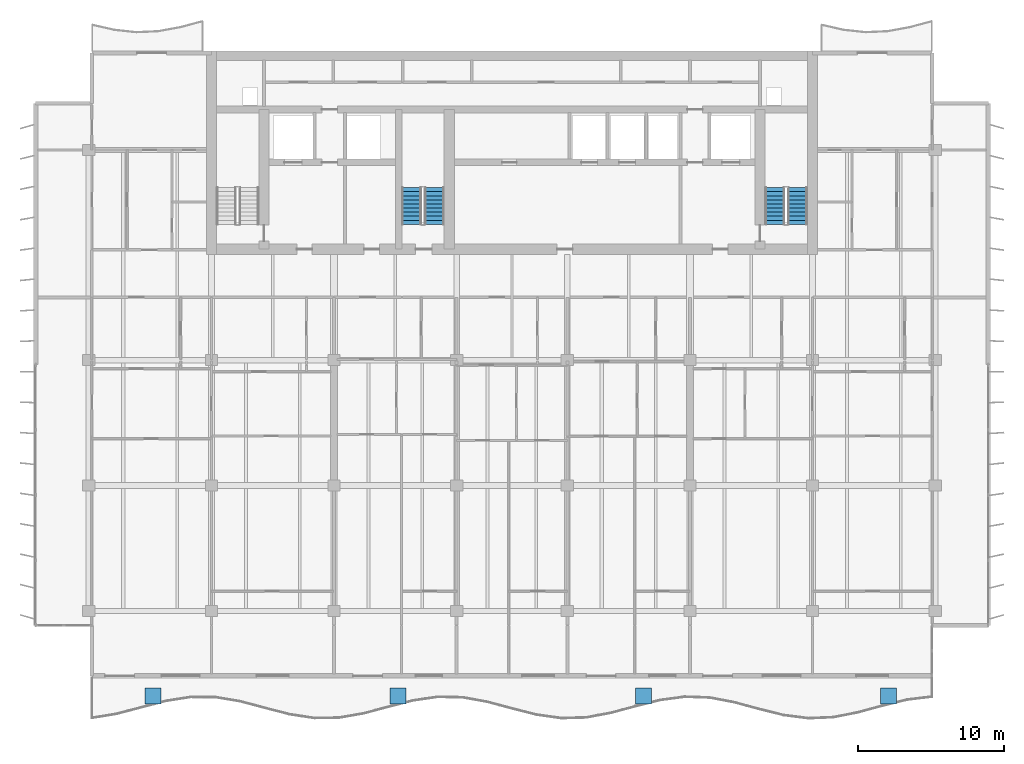
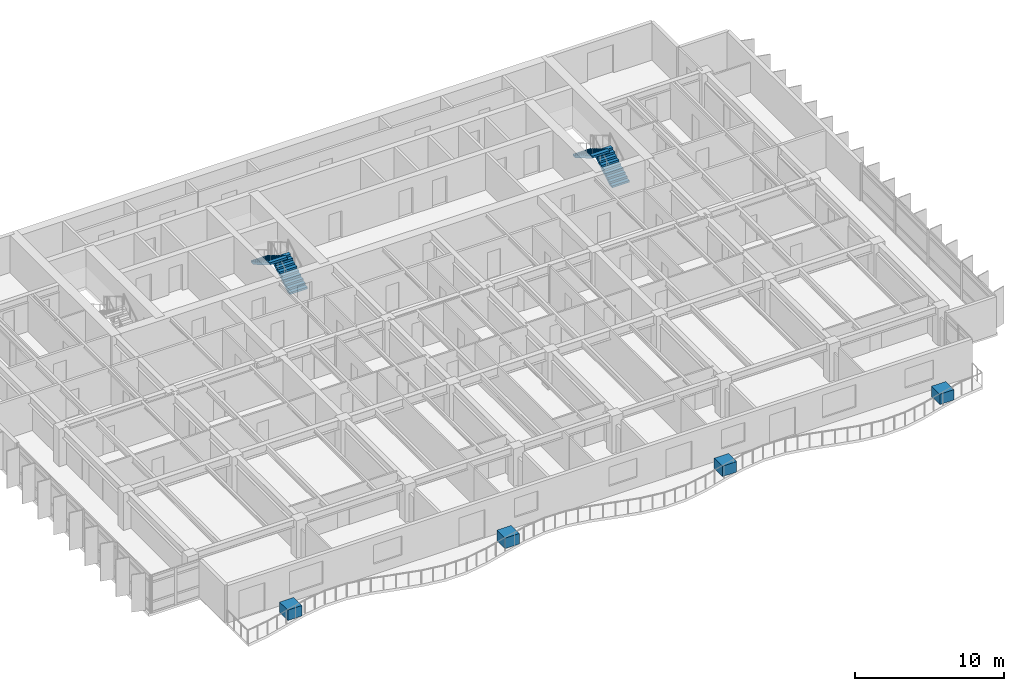
# One storey, part 15 of 19: 4 discrete accessories, 4 stair flights, 2 elements without a shape of their own.
"""IFC4 building model written with IfcOpenShell, lengths in metres."""

from ifc_helpers import new_model, si_unit, direction, frame, origin, origin_2d, place, context, subcontext, project, spatial, polyline, rectangle, outline, extrude, material, type_object, element, aggregate, save


model = new_model("IFC4")

# Units and contexts
model_context = context("Model", 3, precision=1e-05, world=origin(), true_north=direction((0.0, 1.0)))
body_context = subcontext(model_context, "Body", "Model", "MODEL_VIEW")
ifc_project = project(units=[si_unit("LENGTHUNIT", "METRE"), si_unit("AREAUNIT", "SQUARE_METRE"), si_unit("VOLUMEUNIT", "CUBIC_METRE"), si_unit("PLANEANGLEUNIT", "RADIAN"), si_unit("MASSUNIT", "GRAM", prefix="KILO")], contexts=[model_context])

# Site, building, storey
site_placement = place(None, origin())
site = spatial("IfcSite", under=ifc_project, at=site_placement, CompositionType="ELEMENT")
building_placement = place(site_placement, origin())
building = spatial("IfcBuilding", under=site, at=building_placement, Name="Caelmar Bay Residences", CompositionType="ELEMENT")
storey_placement = place(building_placement, frame((0.0, 0.0, 167.10009765625)))
storey = spatial("IfcBuildingStorey", under=building, at=storey_placement, Name="L46", CompositionType="ELEMENT", Elevation=167.10009765625)

# Stair, stair flights
ifc_material_1 = material(Name="Concrete f'c 40 MPa (6,000 psi)", Category="concrete")
stair_type = type_object("IfcStairType", Name="ST-TYP-165", PredefinedType="HALF_TURN_STAIR", material=ifc_material_1)
stair_1_placement = place(storey_placement, origin())
stair_1 = element("IfcStair", 1, at=stair_1_placement, inside=storey, type_object=stair_type, Name="L46 East Smokeproof Exit Stair ST2", PredefinedType="HALF_TURN_STAIR")
stair_flight_type = type_object("IfcStairFlightType", Name="STF-1350", PredefinedType="STRAIGHT", material=ifc_material_1)
stair_flight_1_placement = place(storey_placement, frame((58.47509765625, 38.699951171875, 0.0), z_axis=(0.0, 0.0, 1.0), x_axis=(0.0, 1.0, 0.0)))
stair_flight_1 = element("IfcStairFlight", 2, at=stair_flight_1_placement, type_object=stair_flight_type, Name="ST2 flight 1", NumberOfRisers=10, NumberOfTreads=9, PredefinedType="STRAIGHT", RiserHeight=0.165, TreadLength=0.28, context=body_context, shape_type="SweptSolid", body=[
    extrude(outline(polyline([(0.0, 0.0), (0.0, 0.1650390625), (0.280029296875, 0.1650390625), (0.280029296875, 0.330078125), (0.56005859375, 0.330078125), (0.56005859375, 0.4951171875), (0.840087890625, 0.4951171875), (0.840087890625, 0.659912109375), (1.1201171875, 0.659912109375), (1.1201171875, 0.824951171875), (1.39990234375, 0.824951171875), (1.39990234375, 0.989990234375), (1.679931640625, 0.989990234375), (1.679931640625, 1.155029296875), (1.9599609375, 1.155029296875), (1.9599609375, 1.320068359375), (2.239990234375, 1.320068359375), (2.239990234375, 1.485107421875), (2.52001953125, 1.485107421875), (2.52001953125, 1.64990234375), (2.52001953125, 1.31103515625), (0.295166015625, 0.0), (0.0, 0.0)])), frame((0.0, 0.675048828125, 0.0), z_axis=(0.0, -1.0, 0.0), x_axis=(1.0, 0.0, 0.0)), (0.0, 0.0, 1.0), 1.35009765625),
])
stair_flight_2_placement = place(storey_placement, frame((56.925048828125, 41.219970703125, 1.64990234375), z_axis=(0.0, 0.0, 1.0), x_axis=(0.0, -1.0, 0.0)))
stair_flight_2 = element("IfcStairFlight", 3, at=stair_flight_2_placement, type_object=stair_flight_type, Name="ST2 flight 2", NumberOfRisers=10, NumberOfTreads=9, PredefinedType="STRAIGHT", RiserHeight=0.165, TreadLength=0.28, context=body_context, shape_type="SweptSolid", body=[
    extrude(outline(polyline([(0.0, 0.0), (0.0, 0.1650390625), (0.280029296875, 0.1650390625), (0.280029296875, 0.330078125), (0.56005859375, 0.330078125), (0.56005859375, 0.4951171875), (0.840087890625, 0.4951171875), (0.840087890625, 0.659912109375), (1.1201171875, 0.659912109375), (1.1201171875, 0.824951171875), (1.39990234375, 0.824951171875), (1.39990234375, 0.989990234375), (1.679931640625, 0.989990234375), (1.679931640625, 1.155029296875), (1.9599609375, 1.155029296875), (1.9599609375, 1.320068359375), (2.239990234375, 1.320068359375), (2.239990234375, 1.485107421875), (2.52001953125, 1.485107421875), (2.52001953125, 1.64990234375), (2.52001953125, 1.31103515625), (0.295166015625, 0.0), (0.0, 0.0)])), frame((0.0, 0.675048828125, 0.0), z_axis=(0.0, -1.0, 0.0), x_axis=(1.0, 0.0, 0.0)), (0.0, 0.0, 1.0), 1.35009765625),
])
aggregate(stair_1, [stair_flight_1, stair_flight_2])

stair_2_placement = place(storey_placement, origin())
stair_2 = element("IfcStair", 4, at=stair_2_placement, inside=storey, type_object=stair_type, Name="L46 Central Smokeproof Exit Stair ST3", PredefinedType="HALF_TURN_STAIR")
stair_flight_3_placement = place(storey_placement, frame((33.574951171875, 38.699951171875, 0.0), z_axis=(0.0, 0.0, 1.0), x_axis=(0.0, 1.0, 0.0)))
stair_flight_3 = element("IfcStairFlight", 5, at=stair_flight_3_placement, type_object=stair_flight_type, Name="ST3 flight 1", NumberOfRisers=10, NumberOfTreads=9, PredefinedType="STRAIGHT", RiserHeight=0.165, TreadLength=0.28, context=body_context, shape_type="SweptSolid", body=[
    extrude(outline(polyline([(0.0, 0.0), (0.0, 0.1650390625), (0.280029296875, 0.1650390625), (0.280029296875, 0.330078125), (0.56005859375, 0.330078125), (0.56005859375, 0.4951171875), (0.840087890625, 0.4951171875), (0.840087890625, 0.659912109375), (1.1201171875, 0.659912109375), (1.1201171875, 0.824951171875), (1.39990234375, 0.824951171875), (1.39990234375, 0.989990234375), (1.679931640625, 0.989990234375), (1.679931640625, 1.155029296875), (1.9599609375, 1.155029296875), (1.9599609375, 1.320068359375), (2.239990234375, 1.320068359375), (2.239990234375, 1.485107421875), (2.52001953125, 1.485107421875), (2.52001953125, 1.64990234375), (2.52001953125, 1.31103515625), (0.295166015625, 0.0), (0.0, 0.0)])), frame((0.0, 0.675048828125, 0.0), z_axis=(0.0, -1.0, 0.0), x_axis=(1.0, 0.0, 0.0)), (0.0, 0.0, 1.0), 1.35009765625),
])
stair_flight_4_placement = place(storey_placement, frame((32.02490234375, 41.219970703125, 1.64990234375), z_axis=(0.0, 0.0, 1.0), x_axis=(0.0, -1.0, 0.0)))
stair_flight_4 = element("IfcStairFlight", 6, at=stair_flight_4_placement, type_object=stair_flight_type, Name="ST3 flight 2", NumberOfRisers=10, NumberOfTreads=9, PredefinedType="STRAIGHT", RiserHeight=0.165, TreadLength=0.28, context=body_context, shape_type="SweptSolid", body=[
    extrude(outline(polyline([(0.0, 0.0), (0.0, 0.1650390625), (0.280029296875, 0.1650390625), (0.280029296875, 0.330078125), (0.56005859375, 0.330078125), (0.56005859375, 0.4951171875), (0.840087890625, 0.4951171875), (0.840087890625, 0.659912109375), (1.1201171875, 0.659912109375), (1.1201171875, 0.824951171875), (1.39990234375, 0.824951171875), (1.39990234375, 0.989990234375), (1.679931640625, 0.989990234375), (1.679931640625, 1.155029296875), (1.9599609375, 1.155029296875), (1.9599609375, 1.320068359375), (2.239990234375, 1.320068359375), (2.239990234375, 1.485107421875), (2.52001953125, 1.485107421875), (2.52001953125, 1.64990234375), (2.52001953125, 1.31103515625), (0.295166015625, 0.0), (0.0, 0.0)])), frame((0.0, 0.675048828125, 0.0), z_axis=(0.0, -1.0, 0.0), x_axis=(1.0, 0.0, 0.0)), (0.0, 0.0, 1.0), 1.35009765625),
])
aggregate(stair_2, [stair_flight_3, stair_flight_4])

# Discrete accessories
ifc_material_2 = material(Name="Architectural bronze GRC planter trough with volcanic-lapilli substrate")
discrete_accessory_type = type_object("IfcDiscreteAccessoryType", Name="ACC-PLANTER-1100", PredefinedType="USERDEFINED", material=ifc_material_2)
for number, where, z_axis, x_axis, name in (
    (7, (14.300048828125, 6.3818359375, -0.000244140625), (0.0, 0.0, 1.0), (1.0, 0.0, 0.0), "L46 Balcony Structural Tree Planter 1"),
    (8, (31.10009765625, 6.3818359375, -0.000244140625), (0.0, 0.0, 1.0), (1.0, 0.0, 0.0), "L46 Balcony Structural Tree Planter 2"),
    (9, (47.89990234375, 6.3818359375, -0.000244140625), (0.0, 0.0, 1.0), (1.0, 0.0, 0.0), "L46 Balcony Structural Tree Planter 3"),
    (10, (64.699951171875, 6.3818359375, -0.000244140625), (0.0, 0.0, 1.0), (1.0, 0.0, 0.0), "L46 Balcony Structural Tree Planter 4"),
):
    element("IfcDiscreteAccessory", number, at=place(storey_placement, frame(where, z_axis=z_axis, x_axis=x_axis)), inside=storey, type_object=discrete_accessory_type, Name=name, ObjectType="PLANTER", PredefinedType="USERDEFINED", context=body_context, shape_type="SweptSolid", body=[
        extrude(rectangle(XDim=1.10009765625, YDim=1.10009765625, at=origin_2d()), origin(), (0.0, 0.0, 1.0), 0.85009765625),
    ])

save(model, "model.ifc")
